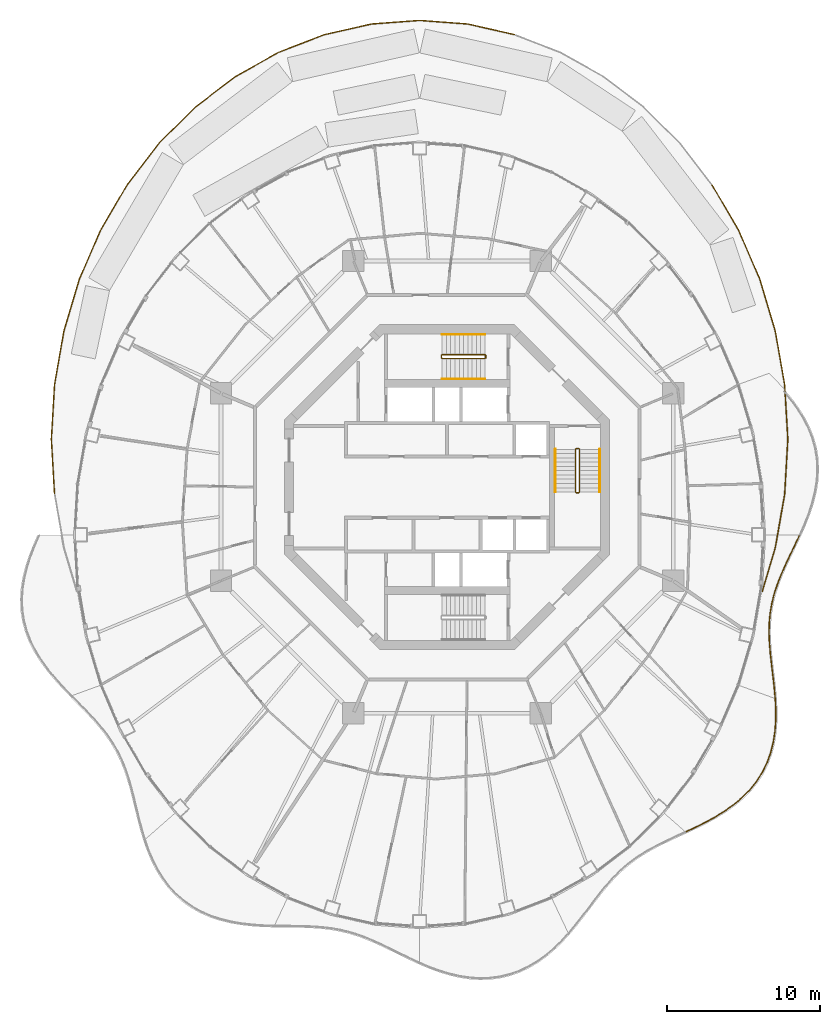
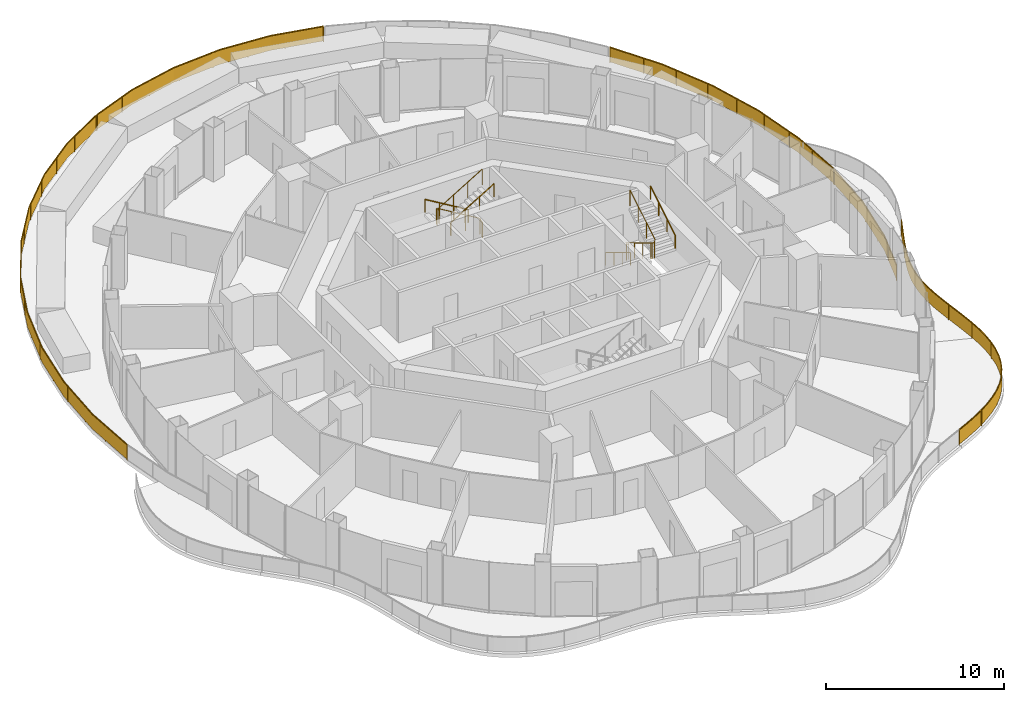
# One storey, part 16 of 17: 13 railings.
"""IFC4 building model written with IfcOpenShell, lengths in metres."""

import ifcopenshell
import ifcopenshell.guid

model = None  # the IFC model being written
_history = None  # IfcOwnerHistory: only IFC2X3 demands one
_inside = {}  # id of a spatial element -> (the spatial element, [elements in it])
_under = {}  # id of a project, library or spatial element -> (it, [spatial elements below it])
_declared = {}  # id of a project -> (the project, [libraries it declares])
_typed = {}  # id of a type object -> (the type object, [elements of that type])
_made_of = {}  # id of a material, layer set ... -> (it, [elements and type objects made of it])


def new_model(schema):
    """Start an empty IFC model of exactly this schema.

    Asked for "IFC4X3", IfcOpenShell would pick the latest addendum, in which some entities
    have other attributes; the version numbers below select the first issue.
    IFC2X3 requires an IfcOwnerHistory on every rooted entity: one is made here for all.
    """
    global model, _history
    if schema == "IFC4X3":
        model = ifcopenshell.file(schema_version=(4, 3, 0, 0))
    else:
        model = ifcopenshell.file(schema=schema)
    _inside.clear()
    _under.clear()
    _declared.clear()
    _typed.clear()
    _made_of.clear()
    _history = None
    if model.schema == "IFC2X3":
        org = make("IfcOrganization", Name="unknown")
        user = make(
            "IfcPersonAndOrganization",
            ThePerson=make("IfcPerson", FamilyName="unknown"),
            TheOrganization=org,
        )
        app = make(
            "IfcApplication",
            ApplicationDeveloper=org,
            Version="unknown",
            ApplicationFullName="unknown",
            ApplicationIdentifier="unknown",
        )
        _history = make(
            "IfcOwnerHistory",
            OwningUser=user,
            OwningApplication=app,
            ChangeAction="ADDED",
            CreationDate=0,
        )
    return model


def make(cls, **values):
    """One entity of the class cls with the attributes given. An attribute that is None is left unset."""
    return model.create_entity(
        cls, **{name: value for name, value in values.items() if value is not None}
    )


def rooted(cls, **values):
    """An entity with a GlobalId (a new one), such as an element, a storey or a relation."""
    return make(cls, GlobalId=ifcopenshell.guid.new(), OwnerHistory=_history, **values)


def si_unit(unit_type, name, prefix=None):
    """IfcSIUnit, for example si_unit("LENGTHUNIT", "METRE", prefix="MILLI")."""
    return make("IfcSIUnit", UnitType=unit_type, Prefix=prefix, Name=name)


def assignment(units):
    """IfcUnitAssignment: the units of a project."""
    return None if units is None else make("IfcUnitAssignment", Units=units)


def point(xyz):
    """IfcCartesianPoint."""
    return None if xyz is None else make("IfcCartesianPoint", Coordinates=xyz)


def direction(xyz):
    """IfcDirection."""
    return None if xyz is None else make("IfcDirection", DirectionRatios=xyz)


def frame(location, z_axis=None, x_axis=None):
    """IfcAxis2Placement3D, a coordinate frame: its origin and axes. An axis left out is left unset."""
    return make(
        "IfcAxis2Placement3D",
        Location=point(location),
        Axis=direction(z_axis),
        RefDirection=direction(x_axis),
    )


def frame_2d(location, x_axis=None):
    """IfcAxis2Placement2D, a coordinate frame in the plane: its origin and x axis."""
    return make(
        "IfcAxis2Placement2D", Location=point(location), RefDirection=direction(x_axis)
    )


def origin():
    """The frame at (0, 0, 0) with its axes left unset."""
    return frame((0.0, 0.0, 0.0))


def origin_2d():
    """The frame at (0, 0) in the plane with its x axis left unset."""
    return frame_2d((0.0, 0.0))


def place(relative_to, where):
    """IfcLocalPlacement: puts the frame where relative to a parent placement (None: the world)."""
    return make(
        "IfcLocalPlacement", PlacementRelTo=relative_to, RelativePlacement=where
    )


def context(
    kind, dimensions, precision=None, world=None, true_north=None, identifier=None
):
    """IfcGeometricRepresentationContext, for example the 3D "Model" context."""
    return make(
        "IfcGeometricRepresentationContext",
        ContextIdentifier=identifier,
        ContextType=kind,
        CoordinateSpaceDimension=dimensions,
        Precision=precision,
        WorldCoordinateSystem=world,
        TrueNorth=true_north,
    )


def subcontext(parent, identifier, kind, view, scale=None):
    """IfcGeometricRepresentationSubContext, for example "Body" below "Model"."""
    return make(
        "IfcGeometricRepresentationSubContext",
        ContextIdentifier=identifier,
        ContextType=kind,
        ParentContext=parent,
        TargetScale=scale,
        TargetView=view,
    )


def project(units=None, contexts=None):
    """IfcProject with its units and contexts."""
    return rooted(
        "IfcProject",
        Name="project",
        RepresentationContexts=contexts,
        UnitsInContext=assignment(units),
    )


def spatial(cls, under=None, at=None, **own):
    """A site, building, storey or space (cls), placed at a placement, below another one or the project."""
    s = rooted(cls, ObjectPlacement=at, **own)
    if under is not None:
        _under.setdefault(under.id(), (under, []))[1].append(s)
    return s


def polyline(points):
    """IfcPolyline through the points."""
    return make("IfcPolyline", Points=[point(p) for p in points])


def profile(cls, at=None, kind="AREA", **sizes):
    """A parametric profile (cls). Its sizes go by their IFC names, for example OverallWidth=200.0."""
    return make(cls, ProfileType=kind, Position=at, **sizes)


def rectangle(**sizes):
    """IfcRectangleProfileDef."""
    return profile("IfcRectangleProfileDef", **sizes)


def circle(**sizes):
    """IfcCircleProfileDef."""
    return profile("IfcCircleProfileDef", **sizes)


def outline(outer, holes=None, kind="AREA"):
    """IfcArbitraryClosedProfileDef: a profile drawn as a closed curve; with holes, ...WithVoids."""
    if holes is None:
        return make("IfcArbitraryClosedProfileDef", ProfileType=kind, OuterCurve=outer)
    return make(
        "IfcArbitraryProfileDefWithVoids",
        ProfileType=kind,
        OuterCurve=outer,
        InnerCurves=holes,
    )


def extrude(swept, where, along, depth):
    """IfcExtrudedAreaSolid: the profile swept, set in the frame where, extruded along a direction by depth."""
    return make(
        "IfcExtrudedAreaSolid",
        SweptArea=swept,
        Position=where,
        ExtrudedDirection=direction(along),
        Depth=depth,
    )


def shape(context_of_items, identifier, shape_type, items):
    """IfcShapeRepresentation: the items that make up one representation, for example the "Body"."""
    return make(
        "IfcShapeRepresentation",
        ContextOfItems=context_of_items,
        RepresentationIdentifier=identifier,
        RepresentationType=shape_type,
        Items=items,
    )


def material(Name=None, Category=None):
    """IfcMaterial."""
    return make("IfcMaterial", Name=Name, Category=Category)


def made_of(thing, what):
    """Note that an element or type object is made of a material, layer set ...; save() writes the relation."""
    if what is not None:
        _made_of.setdefault(what.id(), (what, []))[1].append(thing)
    return thing


def type_object(cls, material=None, **own):
    """A type object (cls), such as IfcWallType, which elements share."""
    return made_of(rooted(cls, **own), material)


def element(
    cls,
    number,
    at=None,
    inside=None,
    cuts=None,
    type_object=None,
    material=None,
    context=None,
    identifier="Body",
    shape_type=None,
    held_by="IfcProductDefinitionShape",
    body=None,
    shapes=None,
    **own,
):
    """One element of the class cls, such as IfcWall. Its Tag is "e" and its number.

    at: its placement. inside: the storey or other place that contains it. cuts: it is an
    opening in that element (IfcRelVoidsElement). A single representation is given by context,
    identifier, shape_type and body (its items); several are given by shapes. held_by: the class
    of the entity that holds the representations. save() writes the other relations.
    """
    e = rooted(cls, Tag="e%d" % number, ObjectPlacement=at, **own)
    if body is not None:
        shapes = [shape(context, identifier, shape_type, body)]
    if shapes is not None:
        e.Representation = make(held_by, Representations=shapes)
    if inside is not None:
        _inside.setdefault(inside.id(), (inside, []))[1].append(e)
    if cuts is not None:
        rooted(
            "IfcRelVoidsElement", RelatingBuildingElement=cuts, RelatedOpeningElement=e
        )
    if type_object is not None:
        _typed.setdefault(type_object.id(), (type_object, []))[1].append(e)
    return made_of(e, material)


def aggregate(whole, parts):
    """IfcRelAggregates: a whole, such as a stair, and the parts it consists of."""
    return rooted("IfcRelAggregates", RelatingObject=whole, RelatedObjects=parts)


def save(model, path):
    """Write the relations noted so far, then the file.

    IfcRelAggregates (storeys below a building ...), IfcRelContainedInSpatialStructure (elements
    in a storey), IfcRelDefinesByType, IfcRelAssociatesMaterial and IfcRelDeclares: one each for
    every whole, place, type object, material and project.
    """
    for whole, parts in _under.values():
        aggregate(whole, parts)
    for where, things in _inside.values():
        rooted(
            "IfcRelContainedInSpatialStructure",
            RelatedElements=things,
            RelatingStructure=where,
        )
    for kind, things in _typed.values():
        rooted("IfcRelDefinesByType", RelatedObjects=things, RelatingType=kind)
    for what, things in _made_of.values():
        rooted("IfcRelAssociatesMaterial", RelatedObjects=things, RelatingMaterial=what)
    for by, libraries in _declared.values():
        rooted("IfcRelDeclares", RelatingContext=by, RelatedDefinitions=libraries)
    model.write(path)


model = new_model("IFC4")

# Units and contexts
model_context = context("Model", 3, precision=1e-05, world=origin(), true_north=direction((0.0, 1.0)))
body_context = subcontext(model_context, "Body", "Model", "MODEL_VIEW")
ifc_project = project(units=[si_unit("LENGTHUNIT", "METRE"), si_unit("AREAUNIT", "SQUARE_METRE"), si_unit("VOLUMEUNIT", "CUBIC_METRE"), si_unit("PLANEANGLEUNIT", "RADIAN"), si_unit("MASSUNIT", "GRAM", prefix="KILO")], contexts=[model_context])

# Site, building, storey
site_placement = place(None, origin())
site = spatial("IfcSite", under=ifc_project, at=site_placement, CompositionType="ELEMENT")
building_placement = place(site_placement, origin())
building = spatial("IfcBuilding", under=site, at=building_placement, Name="Nagisa Residences", CompositionType="ELEMENT")
storey_placement = place(building_placement, frame((0.0, 0.0, 258.5)))
storey = spatial("IfcBuildingStorey", under=building, at=storey_placement, Name="L65", CompositionType="ELEMENT", Elevation=258.5)

# Railings
ifc_material_1 = material(Name="Stainless steel 316", Category="steel")
railing_type_1 = type_object("IfcRailingType", Name="BALCONY GUARD 1100", PredefinedType="BALUSTRADE", material=ifc_material_1)
railing_1_placement = place(storey_placement, frame((15.582763671875, -22.538330078125, 0.0)))
element("IfcRailing", 1, at=railing_1_placement, inside=storey, type_object=railing_type_1, Name="guard:L65:bal14-0", PredefinedType="BALUSTRADE", context=body_context, shape_type="SweptSolid", body=[
    extrude(outline(polyline([(0.640380859375, 0.324951171875), (-0.010498046875, 0.022705078125), (0.010498046875, -0.022705078125), (0.662353515625, 0.280029296875), (1.318359375, 0.60791015625), (1.963623046875, 0.96240234375), (2.587646484375, 1.350341796875), (3.178955078125, 1.7744140625), (3.7216796875, 2.229248046875), (4.220947265625, 2.737548828125), (4.661865234375, 3.287841796875), (5.0390625, 3.878662109375), (5.348876953125, 4.506103515625), (5.58349609375, 5.152587890625), (5.7578125, 5.8388671875), (5.868408203125, 6.54541015625), (5.921875, 7.266357421875), (5.92626953125, 7.994384765625), (5.888427734375, 8.716796875), (5.838623046875, 8.71435546875), (5.8759765625, 7.993408203125), (5.8720703125, 7.268310546875), (5.818603515625, 6.55126953125), (5.70849609375, 5.84912109375), (5.53564453125, 5.167236328125), (5.302978515625, 4.525634765625), (4.99560546875, 3.903076171875), (4.621337890625, 3.317138671875), (4.183349609375, 2.770751953125), (3.6875, 2.265869140625), (3.148193359375, 1.81396484375), (2.559814453125, 1.391845703125), (1.938232421875, 1.005859375), (1.294921875, 0.65234375), (0.640380859375, 0.324951171875)])), frame((0.0, 0.0, 1.050048828125)), (0.0, 0.0, 1.0), 0.050048828125),
    extrude(outline(polyline([(0.6484375, 0.308837890625), (-0.0029296875, 0.00634765625), (0.0029296875, -0.00634765625), (0.654296875, 0.296142578125), (1.309814453125, 0.6240234375), (1.954345703125, 0.97802734375), (2.57763671875, 1.365234375), (3.16796875, 1.78857421875), (3.709228515625, 2.242431640625), (4.207275390625, 2.74951171875), (4.647216796875, 3.29833984375), (5.0234375, 3.887451171875), (5.332275390625, 4.51318359375), (5.566162109375, 5.157958984375), (5.739990234375, 5.842529296875), (5.8505859375, 6.547607421875), (5.904052734375, 7.26708984375), (5.908203125, 7.994140625), (5.87060546875, 8.7158203125), (5.8564453125, 8.71533203125), (5.89404296875, 7.99365234375), (5.889892578125, 7.267578125), (5.83642578125, 6.549072265625), (5.726318359375, 5.845458984375), (5.552978515625, 5.161865234375), (5.319580078125, 4.5185546875), (5.01123046875, 3.894287109375), (4.635986328125, 3.306640625), (4.197021484375, 2.7587890625), (3.699951171875, 2.252685546875), (3.1591796875, 1.7998046875), (2.56982421875, 1.376953125), (1.947509765625, 0.990234375), (1.303466796875, 0.63623046875), (0.6484375, 0.308837890625)])), frame((0.0, 0.0, 0.06005859375)), (0.0, 0.0, 1.0), 0.989990234375),
    extrude(rectangle(XDim=0.0400390625, YDim=0.0400390625, at=origin_2d()), origin(), (0.0, 0.0, 1.0), 1.050048828125),
    extrude(rectangle(XDim=0.0400390625, YDim=0.0400390625, at=origin_2d()), frame((2.036376953125, 1.037353515625, 0.0)), (0.0, 0.0, 1.0), 1.050048828125),
    extrude(rectangle(XDim=0.0400390625, YDim=0.0400390625, at=origin_2d()), frame((3.8603515625, 2.406005859375, 0.0)), (0.0, 0.0, 1.0), 1.050048828125),
    extrude(rectangle(XDim=0.0400390625, YDim=0.0400390625, at=origin_2d()), frame((5.193603515625, 4.24755859375, 0.0)), (0.0, 0.0, 1.0), 1.050048828125),
    extrude(rectangle(XDim=0.0400390625, YDim=0.0400390625, at=origin_2d()), frame((5.825439453125, 6.433349609375, 0.0)), (0.0, 0.0, 1.0), 1.050048828125),
    extrude(rectangle(XDim=0.0400390625, YDim=0.0400390625, at=origin_2d()), frame((5.863525390625, 8.715576171875, 0.0)), (0.0, 0.0, 1.0), 1.050048828125),
])
railing_2_placement = place(storey_placement, frame((21.4462890625, -13.82275390625, 0.0)))
element("IfcRailing", 2, at=railing_2_placement, inside=storey, type_object=railing_type_1, Name="guard:L65:bal15-0", PredefinedType="BALUSTRADE", context=body_context, shape_type="SweptSolid", body=[
    extrude(outline(polyline([(-0.093017578125, 0.738525390625), (-0.02490234375, -0.002197265625), (0.02490234375, 0.002197265625), (-0.043212890625, 0.743408203125), (-0.12646484375, 1.482421875), (-0.213623046875, 2.2080078125), (-0.292236328125, 2.91748046875), (-0.349853515625, 3.609619140625), (-0.379150390625, 4.2705078125), (-0.3662109375, 4.929443359375), (-0.30712890625, 5.5751953125), (-0.199462890625, 6.2109375), (-0.0419921875, 6.8408203125), (0.16064453125, 7.455322265625), (0.407470703125, 8.08642578125), (0.68798828125, 8.723388671875), (0.992919921875, 9.370361328125), (1.31005859375, 10.029296875), (1.62646484375, 10.6943359375), (1.5810546875, 10.7158203125), (1.26513671875, 10.05078125), (0.947509765625, 9.391845703125), (0.642578125, 8.744384765625), (0.361083984375, 8.10546875), (0.11376953125, 7.472412109375), (-0.09033203125, 6.85498046875), (-0.248291015625, 6.22119140625), (-0.35693359375, 5.58154296875), (-0.416015625, 4.932373046875), (-0.429443359375, 4.27001953125), (-0.399658203125, 3.606201171875), (-0.342041015625, 2.91259765625), (-0.263427734375, 2.2021484375), (-0.17626953125, 1.4765625), (-0.093017578125, 0.738525390625)])), frame((0.0, 0.0, 1.050048828125)), (0.0, 0.0, 1.0), 0.050048828125),
    extrude(outline(polyline([(-0.0751953125, 0.740234375), (-0.007080078125, -0.000732421875), (0.007080078125, 0.000732421875), (-0.06103515625, 0.74169921875), (-0.14453125, 1.480224609375), (-0.231689453125, 2.205810546875), (-0.31005859375, 2.915771484375), (-0.36767578125, 3.6083984375), (-0.397216796875, 4.270263671875), (-0.384033203125, 4.930419921875), (-0.3251953125, 5.577392578125), (-0.217041015625, 6.214599609375), (-0.059326171875, 6.845947265625), (0.143798828125, 7.46142578125), (0.390625, 8.09326171875), (0.671630859375, 8.73095703125), (0.9765625, 9.378173828125), (1.2939453125, 10.037109375), (1.610107421875, 10.7021484375), (1.597412109375, 10.7080078125), (1.28125, 10.04296875), (0.9638671875, 9.384033203125), (0.658935546875, 8.73681640625), (0.3779296875, 8.0986328125), (0.130615234375, 7.46630859375), (-0.072998046875, 6.849853515625), (-0.230712890625, 6.217529296875), (-0.3388671875, 5.579345703125), (-0.398193359375, 4.931396484375), (-0.411376953125, 4.270263671875), (-0.3818359375, 3.607421875), (-0.32421875, 2.914306640625), (-0.245361328125, 2.204345703125), (-0.158203125, 1.478759765625), (-0.0751953125, 0.740234375)])), frame((0.0, 0.0, 0.06005859375)), (0.0, 0.0, 1.0), 0.989990234375),
    extrude(rectangle(XDim=0.0400390625, YDim=0.0400390625, at=origin_2d()), origin(), (0.0, 0.0, 1.0), 1.050048828125),
    extrude(rectangle(XDim=0.0400390625, YDim=0.0400390625, at=origin_2d()), frame((-0.239013671875, 2.20849609375, 0.0)), (0.0, 0.0, 1.0), 1.050048828125),
    extrude(rectangle(XDim=0.0400390625, YDim=0.0400390625, at=origin_2d()), frame((-0.4013671875, 4.42236328125, 0.0)), (0.0, 0.0, 1.0), 1.050048828125),
    extrude(rectangle(XDim=0.0400390625, YDim=0.0400390625, at=origin_2d()), frame((-0.123046875, 6.61962890625, 0.0)), (0.0, 0.0, 1.0), 1.050048828125),
    extrude(rectangle(XDim=0.0400390625, YDim=0.0400390625, at=origin_2d()), frame((0.64990234375, 8.698974609375, 0.0)), (0.0, 0.0, 1.0), 1.050048828125),
    extrude(rectangle(XDim=0.0400390625, YDim=0.0400390625, at=origin_2d()), frame((1.603759765625, 10.705078125, 0.0)), (0.0, 0.0, 1.0), 1.050048828125),
])
ifc_material_2 = material(Name="Stainless steel 316", Category="steel")
railing_type_2 = type_object("IfcRailingType", Name="ROOF GUARD 1100", PredefinedType="GUARDRAIL", material=ifc_material_2)
railing_3_placement = place(storey_placement, frame((22.267578125, 3.15771484375, 0.0)))
element("IfcRailing", 3, at=railing_3_placement, inside=storey, type_object=railing_type_2, Name="guard:L65:garden00", PredefinedType="GUARDRAIL", context=body_context, shape_type="SweptSolid", body=[
    extrude(outline(polyline([(-0.228515625, 3.5322265625), (-0.02490234375, -0.00146484375), (0.02490234375, 0.00146484375), (-0.1787109375, 3.5380859375), (-0.793212890625, 7.054931640625), (-1.806396484375, 10.4501953125), (-3.199951171875, 13.66650390625), (-4.929931640625, 16.612060546875), (-4.972900390625, 16.586669921875), (-3.244873046875, 13.6435546875), (-1.853271484375, 10.43310546875), (-0.842041015625, 7.043212890625), (-0.228515625, 3.5322265625)])), frame((0.0, 0.0, 1.050048828125)), (0.0, 0.0, 1.0), 0.050048828125),
    extrude(outline(polyline([(-0.210693359375, 3.534423828125), (-0.007080078125, -0.00048828125), (0.007080078125, 0.00048828125), (-0.196533203125, 3.535888671875), (-0.810791015625, 7.05078125), (-1.8232421875, 10.444091796875), (-3.216064453125, 13.658203125), (-4.9453125, 16.60302734375), (-4.95751953125, 16.595703125), (-3.228759765625, 13.65185546875), (-1.83642578125, 10.439208984375), (-0.824462890625, 7.04736328125), (-0.210693359375, 3.534423828125)])), frame((0.0, 0.0, 0.06005859375)), (0.0, 0.0, 1.0), 0.989990234375),
    extrude(rectangle(XDim=0.0400390625, YDim=0.0400390625, at=origin_2d()), origin(), (0.0, 0.0, 1.0), 1.050048828125),
    extrude(rectangle(XDim=0.0400390625, YDim=0.0400390625, at=origin_2d()), frame((-0.126220703125, 2.19189453125, 0.0)), (0.0, 0.0, 1.0), 1.050048828125),
    extrude(rectangle(XDim=0.0400390625, YDim=0.0400390625, at=origin_2d()), frame((-0.349853515625, 4.372802734375, 0.0)), (0.0, 0.0, 1.0), 1.050048828125),
    extrude(rectangle(XDim=0.0400390625, YDim=0.0400390625, at=origin_2d()), frame((-0.72802734375, 6.53564453125, 0.0)), (0.0, 0.0, 1.0), 1.050048828125),
    extrude(rectangle(XDim=0.0400390625, YDim=0.0400390625, at=origin_2d()), frame((-1.29638671875, 8.653564453125, 0.0)), (0.0, 0.0, 1.0), 1.050048828125),
    extrude(rectangle(XDim=0.0400390625, YDim=0.0400390625, at=origin_2d()), frame((-1.9609375, 10.744140625, 0.0)), (0.0, 0.0, 1.0), 1.050048828125),
    extrude(rectangle(XDim=0.0400390625, YDim=0.0400390625, at=origin_2d()), frame((-2.833984375, 12.7587890625, 0.0)), (0.0, 0.0, 1.0), 1.050048828125),
    extrude(rectangle(XDim=0.0400390625, YDim=0.0400390625, at=origin_2d()), frame((-3.839599609375, 14.7060546875, 0.0)), (0.0, 0.0, 1.0), 1.050048828125),
    extrude(rectangle(XDim=0.0400390625, YDim=0.0400390625, at=origin_2d()), frame((-4.951416015625, 16.599365234375, 0.0)), (0.0, 0.0, 1.0), 1.050048828125),
])
railing_4_placement = place(storey_placement, frame((4.390869140625, 29.583251953125, 0.0)))
element("IfcRailing", 4, at=railing_4_placement, inside=storey, type_object=railing_type_2, Name="guard:L65:garden02", PredefinedType="GUARDRAIL", context=body_context, shape_type="SweptSolid", body=[
    extrude(outline(polyline([(-3.052734375, 0.665283203125), (-0.005615234375, -0.0244140625), (0.005615234375, 0.0244140625), (-3.04541015625, 0.715087890625), (-6.19091796875, 0.94970703125), (-9.336181640625, 0.715087890625), (-12.427978515625, 0.01513671875), (-15.373779296875, -1.12255859375), (-15.355712890625, -1.16943359375), (-12.413330078125, -0.03271484375), (-9.328857421875, 0.665283203125), (-6.19091796875, 0.8994140625), (-3.052734375, 0.665283203125)])), frame((0.0, 0.0, 1.050048828125)), (0.0, 0.0, 1.0), 0.050048828125),
    extrude(outline(polyline([(-3.050048828125, 0.683349609375), (-0.00146484375, -0.0068359375), (0.00146484375, 0.0068359375), (-3.048095703125, 0.697021484375), (-6.19091796875, 0.931640625), (-9.33349609375, 0.697021484375), (-12.422607421875, -0.001953125), (-15.3671875, -1.139404296875), (-15.3623046875, -1.152587890625), (-12.418701171875, -0.015625), (-9.33154296875, 0.683349609375), (-6.19091796875, 0.91748046875), (-3.050048828125, 0.683349609375)])), frame((0.0, 0.0, 0.06005859375)), (0.0, 0.0, 1.0), 0.989990234375),
    extrude(rectangle(XDim=0.0400390625, YDim=0.0400390625, at=origin_2d()), origin(), (0.0, 0.0, 1.0), 1.050048828125),
    extrude(rectangle(XDim=0.0400390625, YDim=0.0400390625, at=origin_2d()), frame((-2.1943359375, 0.496826171875, 0.0)), (0.0, 0.0, 1.0), 1.050048828125),
    extrude(rectangle(XDim=0.0400390625, YDim=0.0400390625, at=origin_2d()), frame((-4.4189453125, 0.79248046875, 0.0)), (0.0, 0.0, 1.0), 1.050048828125),
    extrude(rectangle(XDim=0.0400390625, YDim=0.0400390625, at=origin_2d()), frame((-6.66259765625, 0.889404296875, 0.0)), (0.0, 0.0, 1.0), 1.050048828125),
    extrude(rectangle(XDim=0.0400390625, YDim=0.0400390625, at=origin_2d()), frame((-8.90625, 0.721923828125, 0.0)), (0.0, 0.0, 1.0), 1.050048828125),
    extrude(rectangle(XDim=0.0400390625, YDim=0.0400390625, at=origin_2d()), frame((-11.110107421875, 0.287841796875, 0.0)), (0.0, 0.0, 1.0), 1.050048828125),
    extrude(rectangle(XDim=0.0400390625, YDim=0.0400390625, at=origin_2d()), frame((-13.265869140625, -0.335205078125, 0.0)), (0.0, 0.0, 1.0), 1.050048828125),
    extrude(rectangle(XDim=0.0400390625, YDim=0.0400390625, at=origin_2d()), frame((-15.36474609375, -1.14599609375, 0.0)), (0.0, 0.0, 1.0), 1.050048828125),
])
railing_5_placement = place(storey_placement, frame((-11.046142578125, 28.403076171875, 0.0)))
element("IfcRailing", 5, at=railing_5_placement, inside=storey, type_object=railing_type_2, Name="guard:L65:garden03", PredefinedType="GUARDRAIL", context=body_context, shape_type="SweptSolid", body=[
    extrude(outline(polyline([(-2.775146484375, -1.5859375), (0.01220703125, -0.021728515625), (-0.01220703125, 0.021728515625), (-2.802490234375, -1.5439453125), (-5.42333984375, -3.53662109375), (-7.792724609375, -5.901123046875), (-9.87060546875, -8.597412109375), (-11.600341796875, -11.543212890625), (-11.557373046875, -11.568603515625), (-9.8291015625, -8.625244140625), (-7.755126953125, -5.934326171875), (-5.39013671875, -3.57421875), (-2.775146484375, -1.5859375)])), frame((0.0, 0.0, 1.050048828125)), (0.0, 0.0, 1.0), 0.050048828125),
    extrude(outline(polyline([(-2.784912109375, -1.57080078125), (0.00341796875, -0.006103515625), (-0.00341796875, 0.006103515625), (-2.792724609375, -1.55908203125), (-5.411376953125, -3.550048828125), (-7.779296875, -5.9130859375), (-9.855712890625, -8.607421875), (-11.5849609375, -11.55224609375), (-11.57275390625, -11.5595703125), (-9.843994140625, -8.615234375), (-7.7685546875, -5.92236328125), (-5.402099609375, -3.560791015625), (-2.784912109375, -1.57080078125)])), frame((0.0, 0.0, 0.06005859375)), (0.0, 0.0, 1.0), 0.989990234375),
    extrude(rectangle(XDim=0.0400390625, YDim=0.0400390625, at=origin_2d()), origin(), (0.0, 0.0, 1.0), 1.050048828125),
    extrude(rectangle(XDim=0.0400390625, YDim=0.0400390625, at=origin_2d()), frame((-2.07373046875, -1.163818359375, 0.0)), (0.0, 0.0, 1.0), 1.050048828125),
    extrude(rectangle(XDim=0.0400390625, YDim=0.0400390625, at=origin_2d()), frame((-4.029296875, -2.508056640625, 0.0)), (0.0, 0.0, 1.0), 1.050048828125),
    extrude(rectangle(XDim=0.0400390625, YDim=0.0400390625, at=origin_2d()), frame((-5.864990234375, -4.0126953125, 0.0)), (0.0, 0.0, 1.0), 1.050048828125),
    extrude(rectangle(XDim=0.0400390625, YDim=0.0400390625, at=origin_2d()), frame((-7.54833984375, -5.692626953125, 0.0)), (0.0, 0.0, 1.0), 1.050048828125),
    extrude(rectangle(XDim=0.0400390625, YDim=0.0400390625, at=origin_2d()), frame((-9.031005859375, -7.548828125, 0.0)), (0.0, 0.0, 1.0), 1.050048828125),
    extrude(rectangle(XDim=0.0400390625, YDim=0.0400390625, at=origin_2d()), frame((-10.374755859375, -9.50537109375, 0.0)), (0.0, 0.0, 1.0), 1.050048828125),
    extrude(rectangle(XDim=0.0400390625, YDim=0.0400390625, at=origin_2d()), frame((-11.578857421875, -11.555908203125, 0.0)), (0.0, 0.0, 1.0), 1.050048828125),
])
railing_6_placement = place(storey_placement, frame((-22.6611328125, 16.77587890625, 0.0)))
element("IfcRailing", 6, at=railing_6_placement, inside=storey, type_object=railing_type_2, Name="guard:L65:garden04", PredefinedType="GUARDRAIL", context=body_context, shape_type="SweptSolid", body=[
    extrude(outline(polyline([(-1.353271484375, -3.18505859375), (0.02294921875, -0.010009765625), (-0.02294921875, 0.010009765625), (-1.400146484375, -3.16796875), (-2.4130859375, -6.563232421875), (-3.02783203125, -10.080078125), (-3.234130859375, -13.658203125), (-3.030029296875, -17.19482421875), (-2.980224609375, -17.19189453125), (-3.183837890625, -13.658203125), (-2.97802734375, -10.0859375), (-2.3642578125, -6.574951171875), (-1.353271484375, -3.18505859375)])), frame((0.0, 0.0, 1.050048828125)), (0.0, 0.0, 1.0), 0.050048828125),
    extrude(outline(polyline([(-1.3701171875, -3.178955078125), (0.00634765625, -0.002685546875), (-0.00634765625, 0.002685546875), (-1.38330078125, -3.174072265625), (-2.3955078125, -6.5673828125), (-3.010009765625, -10.082275390625), (-3.216064453125, -13.658203125), (-3.01220703125, -17.19384765625), (-2.998046875, -17.19287109375), (-3.201904296875, -13.658203125), (-2.995849609375, -10.083740234375), (-2.3818359375, -6.57080078125), (-1.3701171875, -3.178955078125)])), frame((0.0, 0.0, 0.06005859375)), (0.0, 0.0, 1.0), 0.989990234375),
    extrude(rectangle(XDim=0.0400390625, YDim=0.0400390625, at=origin_2d()), origin(), (0.0, 0.0, 1.0), 1.050048828125),
    extrude(rectangle(XDim=0.0400390625, YDim=0.0400390625, at=origin_2d()), frame((-0.87939453125, -2.029052734375, 0.0)), (0.0, 0.0, 1.0), 1.050048828125),
    extrude(rectangle(XDim=0.0400390625, YDim=0.0400390625, at=origin_2d()), frame((-1.6513671875, -4.097412109375, 0.0)), (0.0, 0.0, 1.0), 1.050048828125),
    extrude(rectangle(XDim=0.0400390625, YDim=0.0400390625, at=origin_2d()), frame((-2.283447265625, -6.216552734375, 0.0)), (0.0, 0.0, 1.0), 1.050048828125),
    extrude(rectangle(XDim=0.0400390625, YDim=0.0400390625, at=origin_2d()), frame((-2.7060546875, -8.385009765625, 0.0)), (0.0, 0.0, 1.0), 1.050048828125),
    extrude(rectangle(XDim=0.0400390625, YDim=0.0400390625, at=origin_2d()), frame((-3.031005859375, -10.570068359375, 0.0)), (0.0, 0.0, 1.0), 1.050048828125),
    extrude(rectangle(XDim=0.0400390625, YDim=0.0400390625, at=origin_2d()), frame((-3.158203125, -12.77783203125, 0.0)), (0.0, 0.0, 1.0), 1.050048828125),
    extrude(rectangle(XDim=0.0400390625, YDim=0.0400390625, at=origin_2d()), frame((-3.13232421875, -14.985595703125, 0.0)), (0.0, 0.0, 1.0), 1.050048828125),
    extrude(rectangle(XDim=0.0400390625, YDim=0.0400390625, at=origin_2d()), frame((-3.005126953125, -17.193359375, 0.0)), (0.0, 0.0, 1.0), 1.050048828125),
])
railing_7_placement = place(storey_placement, frame((20.604248046875, -6.805908203125, 0.0)))
element("IfcRailing", 7, at=railing_7_placement, inside=storey, type_object=railing_type_2, Name="guard:L65:garden06", PredefinedType="GUARDRAIL", context=body_context, shape_type="SweptSolid", body=[
    extrude(outline(polyline([(0.8212890625, 2.84033203125), (-0.02392578125, 0.007080078125), (0.02392578125, -0.007080078125), (0.8701171875, 2.82861328125), (1.484619140625, 6.345458984375), (1.688232421875, 9.882080078125), (1.638427734375, 9.885009765625), (1.434814453125, 6.351318359375), (0.8212890625, 2.84033203125)])), frame((0.0, 0.0, 1.050048828125)), (0.0, 0.0, 1.0), 0.050048828125),
    extrude(outline(polyline([(0.8388671875, 2.836181640625), (-0.006591796875, 0.001953125), (0.006591796875, -0.001953125), (0.8525390625, 2.832763671875), (1.466796875, 6.34765625), (1.67041015625, 9.883056640625), (1.65625, 9.884033203125), (1.45263671875, 6.34912109375), (0.8388671875, 2.836181640625)])), frame((0.0, 0.0, 0.06005859375)), (0.0, 0.0, 1.0), 0.989990234375),
    extrude(rectangle(XDim=0.0400390625, YDim=0.0400390625, at=origin_2d()), origin(), (0.0, 0.0, 1.0), 1.050048828125),
    extrude(rectangle(XDim=0.0400390625, YDim=0.0400390625, at=origin_2d()), frame((0.57568359375, 1.92919921875, 0.0)), (0.0, 0.0, 1.0), 1.050048828125),
    extrude(rectangle(XDim=0.0400390625, YDim=0.0400390625, at=origin_2d()), frame((1.029541015625, 3.886962890625, 0.0)), (0.0, 0.0, 1.0), 1.050048828125),
    extrude(rectangle(XDim=0.0400390625, YDim=0.0400390625, at=origin_2d()), frame((1.376220703125, 5.8701171875, 0.0)), (0.0, 0.0, 1.0), 1.050048828125),
    extrude(rectangle(XDim=0.0400390625, YDim=0.0400390625, at=origin_2d()), frame((1.547607421875, 7.87353515625, 0.0)), (0.0, 0.0, 1.0), 1.050048828125),
    extrude(rectangle(XDim=0.0400390625, YDim=0.0400390625, at=origin_2d()), frame((1.663330078125, 9.883544921875, 0.0)), (0.0, 0.0, 1.0), 1.050048828125),
])
ifc_material_3 = material(Name="Stainless steel", Category="steel")
railing_type_3 = type_object("IfcRailingType", Name="Stair guard 1100", PredefinedType="GUARDRAIL", material=ifc_material_3)
railing_8_placement = place(storey_placement, frame((8.599609375, 2.52490234375, 0.0)))
element("IfcRailing", 8, at=railing_8_placement, inside=storey, type_object=railing_type_3, Name="L65 ST-E stair guard 1", PredefinedType="GUARDRAIL", context=body_context, shape_type="SweptSolid", body=[
    extrude(circle(Radius=0.02392578125, at=origin_2d()), frame((0.0, 0.0, 1.076171875), z_axis=(-1.0, 0.0, 0.0), x_axis=(0.0, -1.0, 0.0)), (0.0, 0.0, 1.0), 0.14990234375),
    extrude(circle(Radius=0.02392578125, at=origin_2d()), frame((-0.14990234375, 0.0, 1.076171875), z_axis=(-0.27434429532, -0.273006030465, 0.922064485248), x_axis=(0.705375805398, -0.708833529934, 0.0)), (0.0, 0.0, 1.0), 0.182373046875),
    extrude(circle(Radius=0.02392578125, at=origin_2d()), frame((-0.199951171875, -0.0498046875, 1.244140625), z_axis=(0.0, -0.857242210791, 0.514913383045), x_axis=(1.0, 0.0, 0.0)), (0.0, 0.0, 1.0), 3.266357421875),
    extrude(circle(Radius=0.02392578125, at=origin_2d()), frame((-0.199951171875, -2.849853515625, 2.92626953125), z_axis=(0.707106781187, -0.707106781187, 0.0), x_axis=(0.707106781187, 0.707106781187, 0.0)), (0.0, 0.0, 1.0), 0.07080078125),
    extrude(circle(Radius=0.02392578125, at=origin_2d()), frame((-0.14990234375, -2.89990234375, 2.92626953125), z_axis=(1.0, 0.0, 0.0), x_axis=(0.0, 1.0, 0.0)), (0.0, 0.0, 1.0), 0.14990234375),
    extrude(circle(Radius=0.02392578125, at=origin_2d()), frame((0.0, -2.89990234375, 2.92626953125), z_axis=(0.274582412415, 0.274582412415, 0.921525364591), x_axis=(-0.707106781187, 0.707106781187, 0.0)), (0.0, 0.0, 1.0), 0.182373046875),
    extrude(circle(Radius=0.02392578125, at=origin_2d()), frame((0.050048828125, -2.849853515625, 3.09423828125), z_axis=(0.0, 0.857242210791, 0.514913383045), x_axis=(-1.0, 0.0, 0.0)), (0.0, 0.0, 1.0), 3.266357421875),
    extrude(circle(Radius=0.02099609375, at=origin_2d()), origin(), (0.0, 0.0, 1.0), 1.052001953125),
    extrude(circle(Radius=0.02099609375, at=origin_2d()), frame((-0.14990234375, 0.0, 0.0)), (0.0, 0.0, 1.0), 1.052001953125),
    extrude(circle(Radius=0.02099609375, at=origin_2d()), frame((-0.199951171875, -0.0498046875, 0.168212890625)), (0.0, 0.0, 1.0), 1.052001953125),
    extrude(circle(Radius=0.02099609375, at=origin_2d()), frame((-0.199951171875, -0.983154296875, 0.728759765625)), (0.0, 0.0, 1.0), 1.052001953125),
    extrude(circle(Radius=0.02099609375, at=origin_2d()), frame((-0.199951171875, -1.91650390625, 1.28955078125)), (0.0, 0.0, 1.0), 1.052001953125),
    extrude(circle(Radius=0.02099609375, at=origin_2d()), frame((-0.199951171875, -2.849853515625, 1.85009765625)), (0.0, 0.0, 1.0), 1.052001953125),
    extrude(circle(Radius=0.02099609375, at=origin_2d()), frame((-0.14990234375, -2.89990234375, 1.85009765625)), (0.0, 0.0, 1.0), 1.052001953125),
    extrude(circle(Radius=0.02099609375, at=origin_2d()), frame((0.0, -2.89990234375, 1.85009765625)), (0.0, 0.0, 1.0), 1.052001953125),
    extrude(circle(Radius=0.02099609375, at=origin_2d()), frame((0.050048828125, -2.849853515625, 2.01806640625)), (0.0, 0.0, 1.0), 1.052001953125),
    extrude(circle(Radius=0.02099609375, at=origin_2d()), frame((0.050048828125, -1.91650390625, 2.57861328125)), (0.0, 0.0, 1.0), 1.052001953125),
    extrude(circle(Radius=0.02099609375, at=origin_2d()), frame((0.050048828125, -0.983154296875, 3.139404296875)), (0.0, 0.0, 1.0), 1.052001953125),
    extrude(circle(Radius=0.02099609375, at=origin_2d()), frame((0.050048828125, -0.0498046875, 3.699951171875)), (0.0, 0.0, 1.0), 1.052001953125),
])
railing_9_placement = place(storey_placement, frame((2.52490234375, 8.44970703125, 0.0)))
element("IfcRailing", 9, at=railing_9_placement, inside=storey, type_object=railing_type_3, Name="L65 ST-N stair guard 1", PredefinedType="GUARDRAIL", context=body_context, shape_type="SweptSolid", body=[
    extrude(circle(Radius=0.02392578125, at=origin_2d()), frame((0.0, 0.0, 1.076171875), z_axis=(0.0, 1.0, 0.0), x_axis=(-1.0, 0.0, 0.0)), (0.0, 0.0, 1.0), 0.14990234375),
    extrude(circle(Radius=0.02392578125, at=origin_2d()), frame((0.0, 0.14990234375, 1.076171875), z_axis=(-0.273006030465, 0.27434429532, 0.922064485248), x_axis=(-0.708833529934, -0.705375805398, 0.0)), (0.0, 0.0, 1.0), 0.182373046875),
    extrude(circle(Radius=0.02392578125, at=origin_2d()), frame((-0.0498046875, 0.199951171875, 1.244140625), z_axis=(-0.857242210791, 0.0, 0.514913383045), x_axis=(0.0, -1.0, 0.0)), (0.0, 0.0, 1.0), 3.266357421875),
    extrude(circle(Radius=0.02392578125, at=origin_2d()), frame((-2.849853515625, 0.199951171875, 2.92626953125), z_axis=(-0.707106781187, -0.707106781187, 0.0), x_axis=(0.707106781187, -0.707106781187, 0.0)), (0.0, 0.0, 1.0), 0.07080078125),
    extrude(circle(Radius=0.02392578125, at=origin_2d()), frame((-2.89990234375, 0.14990234375, 2.92626953125), z_axis=(0.0, -1.0, 0.0), x_axis=(1.0, 0.0, 0.0)), (0.0, 0.0, 1.0), 0.14990234375),
    extrude(circle(Radius=0.02392578125, at=origin_2d()), frame((-2.89990234375, 0.0, 2.92626953125), z_axis=(0.274582412415, -0.274582412415, 0.921525364591), x_axis=(0.707106781187, 0.707106781187, 0.0)), (0.0, 0.0, 1.0), 0.182373046875),
    extrude(circle(Radius=0.02392578125, at=origin_2d()), frame((-2.849853515625, -0.050048828125, 3.09423828125), z_axis=(0.857242210791, 0.0, 0.514913383045), x_axis=(0.0, 1.0, 0.0)), (0.0, 0.0, 1.0), 3.266357421875),
    extrude(circle(Radius=0.02099609375, at=origin_2d()), origin(), (0.0, 0.0, 1.0), 1.052001953125),
    extrude(circle(Radius=0.02099609375, at=origin_2d()), frame((0.0, 0.14990234375, 0.0)), (0.0, 0.0, 1.0), 1.052001953125),
    extrude(circle(Radius=0.02099609375, at=origin_2d()), frame((-0.0498046875, 0.199951171875, 0.168212890625)), (0.0, 0.0, 1.0), 1.052001953125),
    extrude(circle(Radius=0.02099609375, at=origin_2d()), frame((-0.983154296875, 0.199951171875, 0.728759765625)), (0.0, 0.0, 1.0), 1.052001953125),
    extrude(circle(Radius=0.02099609375, at=origin_2d()), frame((-1.91650390625, 0.199951171875, 1.28955078125)), (0.0, 0.0, 1.0), 1.052001953125),
    extrude(circle(Radius=0.02099609375, at=origin_2d()), frame((-2.849853515625, 0.199951171875, 1.85009765625)), (0.0, 0.0, 1.0), 1.052001953125),
    extrude(circle(Radius=0.02099609375, at=origin_2d()), frame((-2.89990234375, 0.14990234375, 1.85009765625)), (0.0, 0.0, 1.0), 1.052001953125),
    extrude(circle(Radius=0.02099609375, at=origin_2d()), frame((-2.89990234375, 0.0, 1.85009765625)), (0.0, 0.0, 1.0), 1.052001953125),
    extrude(circle(Radius=0.02099609375, at=origin_2d()), frame((-2.849853515625, -0.050048828125, 2.01806640625)), (0.0, 0.0, 1.0), 1.052001953125),
    extrude(circle(Radius=0.02099609375, at=origin_2d()), frame((-1.91650390625, -0.050048828125, 2.57861328125)), (0.0, 0.0, 1.0), 1.052001953125),
    extrude(circle(Radius=0.02099609375, at=origin_2d()), frame((-0.983154296875, -0.050048828125, 3.139404296875)), (0.0, 0.0, 1.0), 1.052001953125),
    extrude(circle(Radius=0.02099609375, at=origin_2d()), frame((-0.0498046875, -0.050048828125, 3.699951171875)), (0.0, 0.0, 1.0), 1.052001953125),
])
ifc_material_4 = material(Name="Stainless steel", Category="steel")
railing_type_4 = type_object("IfcRailingType", Name="Stair handrail 900", PredefinedType="HANDRAIL", material=ifc_material_4)
railing_10_placement = place(storey_placement, frame((7.07470703125, 2.47509765625, 0.168212890625)))
element("IfcRailing", 10, at=railing_10_placement, inside=storey, type_object=railing_type_4, Name="L65 ST-E stair handrail 1", PredefinedType="HANDRAIL", context=body_context, shape_type="SweptSolid", body=[
    extrude(circle(Radius=0.02392578125, at=origin_2d()), frame((0.0, 0.0, 0.8759765625), z_axis=(0.0, -0.857242210791, 0.514913383045), x_axis=(1.0, 0.0, 0.0)), (0.0, 0.0, 1.0), 3.266357421875),
    extrude(circle(Radius=0.02099609375, at=origin_2d()), origin(), (0.0, 0.0, 1.0), 0.851806640625),
    extrude(circle(Radius=0.02099609375, at=origin_2d()), frame((0.0, -0.933349609375, 0.560546875)), (0.0, 0.0, 1.0), 0.851806640625),
    extrude(circle(Radius=0.02099609375, at=origin_2d()), frame((0.0, -1.86669921875, 1.121337890625)), (0.0, 0.0, 1.0), 0.851806640625),
    extrude(circle(Radius=0.02099609375, at=origin_2d()), frame((0.0, -2.800048828125, 1.681884765625)), (0.0, 0.0, 1.0), 0.851806640625),
])
railing_11_placement = place(storey_placement, frame((9.974609375, -0.324951171875, 2.01806640625)))
element("IfcRailing", 11, at=railing_11_placement, inside=storey, type_object=railing_type_4, Name="L65 ST-E stair handrail 2", PredefinedType="HANDRAIL", context=body_context, shape_type="SweptSolid", body=[
    extrude(circle(Radius=0.02392578125, at=origin_2d()), frame((0.0, 0.0, 0.8759765625), z_axis=(0.0, 0.857242210791, 0.514913383045), x_axis=(-1.0, 0.0, 0.0)), (0.0, 0.0, 1.0), 3.266357421875),
    extrude(circle(Radius=0.02099609375, at=origin_2d()), origin(), (0.0, 0.0, 1.0), 0.851806640625),
    extrude(circle(Radius=0.02099609375, at=origin_2d()), frame((0.0, 0.933349609375, 0.560546875)), (0.0, 0.0, 1.0), 0.851806640625),
    extrude(circle(Radius=0.02099609375, at=origin_2d()), frame((0.0, 1.86669921875, 1.121337890625)), (0.0, 0.0, 1.0), 0.851806640625),
    extrude(circle(Radius=0.02099609375, at=origin_2d()), frame((0.0, 2.800048828125, 1.681884765625)), (0.0, 0.0, 1.0), 0.851806640625),
])
railing_12_placement = place(storey_placement, frame((2.47509765625, 9.974609375, 0.168212890625)))
element("IfcRailing", 12, at=railing_12_placement, inside=storey, type_object=railing_type_4, Name="L65 ST-N stair handrail 1", PredefinedType="HANDRAIL", context=body_context, shape_type="SweptSolid", body=[
    extrude(circle(Radius=0.02392578125, at=origin_2d()), frame((0.0, 0.0, 0.8759765625), z_axis=(-0.857242210791, 0.0, 0.514913383045), x_axis=(0.0, -1.0, 0.0)), (0.0, 0.0, 1.0), 3.266357421875),
    extrude(circle(Radius=0.02099609375, at=origin_2d()), origin(), (0.0, 0.0, 1.0), 0.851806640625),
    extrude(circle(Radius=0.02099609375, at=origin_2d()), frame((-0.933349609375, 0.0, 0.560546875)), (0.0, 0.0, 1.0), 0.851806640625),
    extrude(circle(Radius=0.02099609375, at=origin_2d()), frame((-1.86669921875, 0.0, 1.121337890625)), (0.0, 0.0, 1.0), 0.851806640625),
    extrude(circle(Radius=0.02099609375, at=origin_2d()), frame((-2.800048828125, 0.0, 1.681884765625)), (0.0, 0.0, 1.0), 0.851806640625),
])
railing_13_placement = place(storey_placement, frame((-0.324951171875, 7.07470703125, 2.01806640625)))
element("IfcRailing", 13, at=railing_13_placement, inside=storey, type_object=railing_type_4, Name="L65 ST-N stair handrail 2", PredefinedType="HANDRAIL", context=body_context, shape_type="SweptSolid", body=[
    extrude(circle(Radius=0.02392578125, at=origin_2d()), frame((0.0, 0.0, 0.8759765625), z_axis=(0.857242210791, 0.0, 0.514913383045), x_axis=(0.0, 1.0, 0.0)), (0.0, 0.0, 1.0), 3.266357421875),
    extrude(circle(Radius=0.02099609375, at=origin_2d()), origin(), (0.0, 0.0, 1.0), 0.851806640625),
    extrude(circle(Radius=0.02099609375, at=origin_2d()), frame((0.933349609375, 0.0, 0.560546875)), (0.0, 0.0, 1.0), 0.851806640625),
    extrude(circle(Radius=0.02099609375, at=origin_2d()), frame((1.86669921875, 0.0, 1.121337890625)), (0.0, 0.0, 1.0), 0.851806640625),
    extrude(circle(Radius=0.02099609375, at=origin_2d()), frame((2.800048828125, 0.0, 1.681884765625)), (0.0, 0.0, 1.0), 0.851806640625),
])

save(model, "model.ifc")
